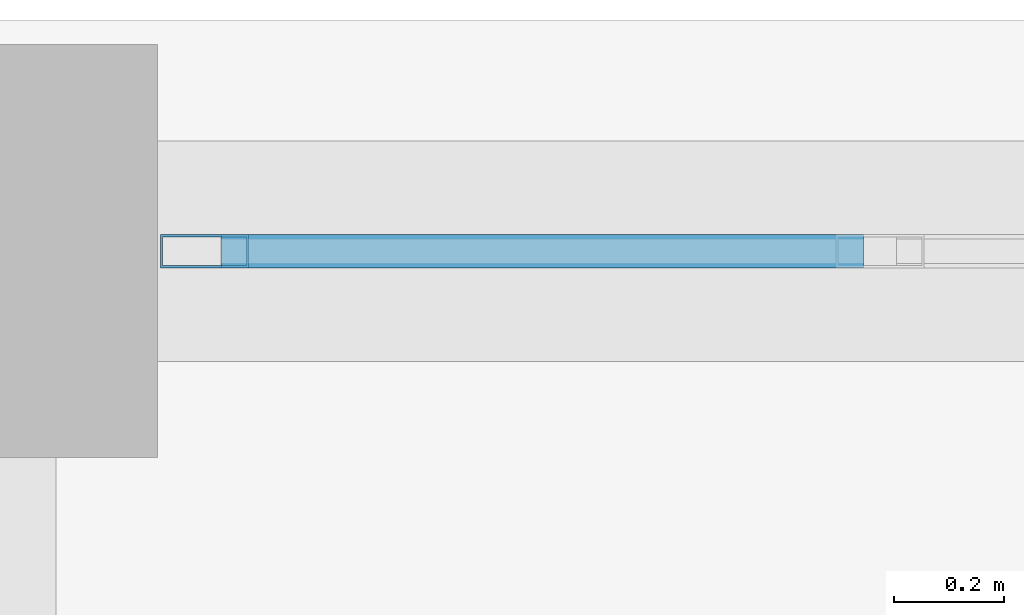
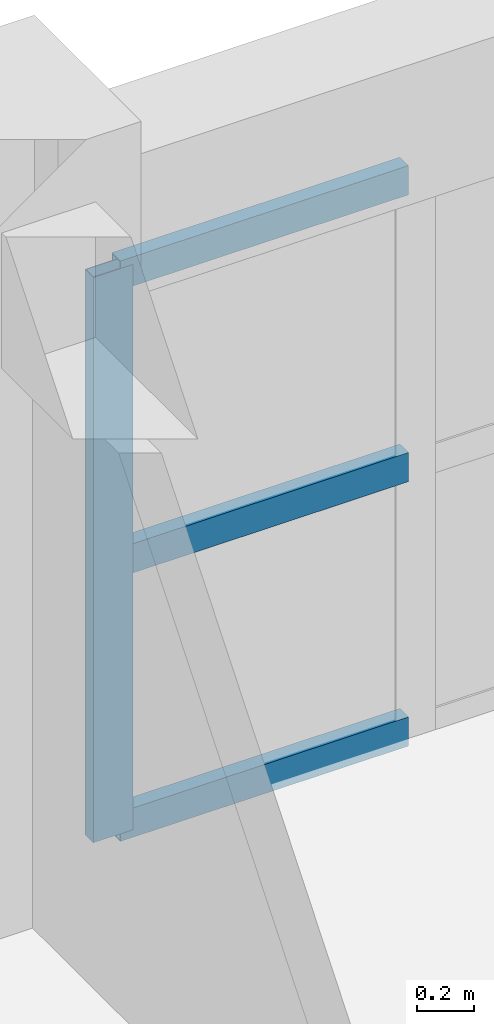
# One storey, part 121 of 200: 4 members, 1 element without a shape of its own.
"""IFC4 building model written with IfcOpenShell, lengths in metres."""

from ifc_helpers import new_model, si_unit, direction, frame, origin, origin_2d, place, context, subcontext, project, spatial, hollow_rectangle, extrude, material, layer, layer_set, material_profile, profile_set, type_object, element, aggregate, save


model = new_model("IFC4")

# Units and contexts
model_context = context("Model", 3, precision=1e-05, world=origin(), true_north=direction((0.0, 1.0)))
body_context = subcontext(model_context, "Body", "Model", "MODEL_VIEW")
ifc_project = project(units=[si_unit("LENGTHUNIT", "METRE"), si_unit("AREAUNIT", "SQUARE_METRE"), si_unit("VOLUMEUNIT", "CUBIC_METRE"), si_unit("PLANEANGLEUNIT", "RADIAN"), si_unit("MASSUNIT", "GRAM", prefix="KILO")], contexts=[model_context])

# Site, building, storey
site_placement = place(None, origin())
site = spatial("IfcSite", under=ifc_project, at=site_placement, CompositionType="ELEMENT")
building_placement = place(site_placement, origin())
building = spatial("IfcBuilding", under=site, at=building_placement, Name="Trelvath General Hospital", CompositionType="ELEMENT")
storey_placement = place(building_placement, frame((0.0, 0.0, 4.800048828125)))
storey = spatial("IfcBuildingStorey", under=building, at=storey_placement, Name="L01", CompositionType="ELEMENT", Elevation=4.800048828125)

# Curtain wall, members
ifc_material_1 = material(Name="Anodised aluminium and low-E glass", Category="aluminium")
ifc_layer = layer(ifc_material_1, 0.159912109375)
ifc_layer_set = layer_set([ifc_layer], Name="Anodised aluminium and low-E glass")
curtain_wall_type = type_object("IfcCurtainWallType", Name="CW Facade 754 242 16", PredefinedType="USERDEFINED", material=ifc_layer_set)
curtain_wall_placement = place(storey_placement, origin())
curtain_wall = element("IfcCurtainWall", 1, at=curtain_wall_placement, inside=storey, type_object=curtain_wall_type, Name="Facade Curtain Wall CW-019", ObjectType="Unitised Glazed Curtain Wall", PredefinedType="USERDEFINED")
ifc_material_2 = material(Name="Anodised aluminium", Category="aluminium")
ifc_material_profile_1 = material_profile(ifc_material_2, hollow_rectangle(XDim=0.06005859375, YDim=0.159912109375, WallThickness=0.00390625, at=origin_2d()), Name="RHS60x160x4")
ifc_profile_set_1 = profile_set([ifc_material_profile_1], Name="Anodised aluminium")
member_type_1 = type_object("IfcMemberType", Name="CurtainMullion 60x160", PredefinedType="MULLION", material=ifc_profile_set_1)
member_1_placement = place(storey_placement, frame((92.860107421875, 117.60009765625, 0.0), z_axis=(0.0, 0.0, 1.0), x_axis=(0.0, 1.0, 0.0)))
member_1 = element("IfcMember", 2, at=member_1_placement, type_object=member_type_1, Name="CW-019 mullion 1", PredefinedType="MULLION", context=body_context, shape_type="SweptSolid", body=[
    extrude(hollow_rectangle(XDim=0.06005859375, YDim=0.159912109375, WallThickness=0.00390625, at=origin_2d()), origin(), (0.0, 0.0, 1.0), 2.419921875),
])
ifc_material_3 = material(Name="Anodised aluminium", Category="aluminium")
ifc_material_profile_2 = material_profile(ifc_material_3, hollow_rectangle(XDim=0.06005859375, YDim=0.125, WallThickness=0.00390625, at=origin_2d()), Name="RHS60x125x4")
ifc_profile_set_2 = profile_set([ifc_material_profile_2], Name="Anodised aluminium")
member_type_2 = type_object("IfcMemberType", Name="CurtainTransom 60x125", PredefinedType="USERDEFINED", material=ifc_profile_set_2)
member_2_placement = place(storey_placement, frame((92.889892578125, 117.60009765625, 0.030029296875), z_axis=(1.0, 0.0, 0.0), x_axis=(0.0, 1.0, 0.0)))
member_2 = element("IfcMember", 3, at=member_2_placement, type_object=member_type_2, Name="CW-019 transom 1.1", ObjectType="TRANSOM", PredefinedType="USERDEFINED", context=body_context, shape_type="SweptSolid", body=[
    extrude(hollow_rectangle(XDim=0.06005859375, YDim=0.125, WallThickness=0.00390625, at=origin_2d()), origin(), (0.0, 0.0, 1.0), 1.166748046875),
])
member_3_placement = place(storey_placement, frame((92.889892578125, 117.60009765625, 1.161865234375), z_axis=(1.0, 0.0, 0.0), x_axis=(0.0, 1.0, 0.0)))
member_3 = element("IfcMember", 4, at=member_3_placement, type_object=member_type_2, Name="CW-019 transom 1.2", ObjectType="TRANSOM", PredefinedType="USERDEFINED", context=body_context, shape_type="SweptSolid", body=[
    extrude(hollow_rectangle(XDim=0.06005859375, YDim=0.125, WallThickness=0.00390625, at=origin_2d()), origin(), (0.0, 0.0, 1.0), 1.166748046875),
])
member_4_placement = place(storey_placement, frame((92.889892578125, 117.60009765625, 2.389892578125), z_axis=(1.0, 0.0, 0.0), x_axis=(0.0, 1.0, 0.0)))
member_4 = element("IfcMember", 5, at=member_4_placement, type_object=member_type_2, Name="CW-019 transom 1.3", ObjectType="TRANSOM", PredefinedType="USERDEFINED", context=body_context, shape_type="SweptSolid", body=[
    extrude(hollow_rectangle(XDim=0.06005859375, YDim=0.125, WallThickness=0.00390625, at=origin_2d()), origin(), (0.0, 0.0, 1.0), 1.166748046875),
])
aggregate(curtain_wall, [member_1, member_2, member_3, member_4])

save(model, "model.ifc")
